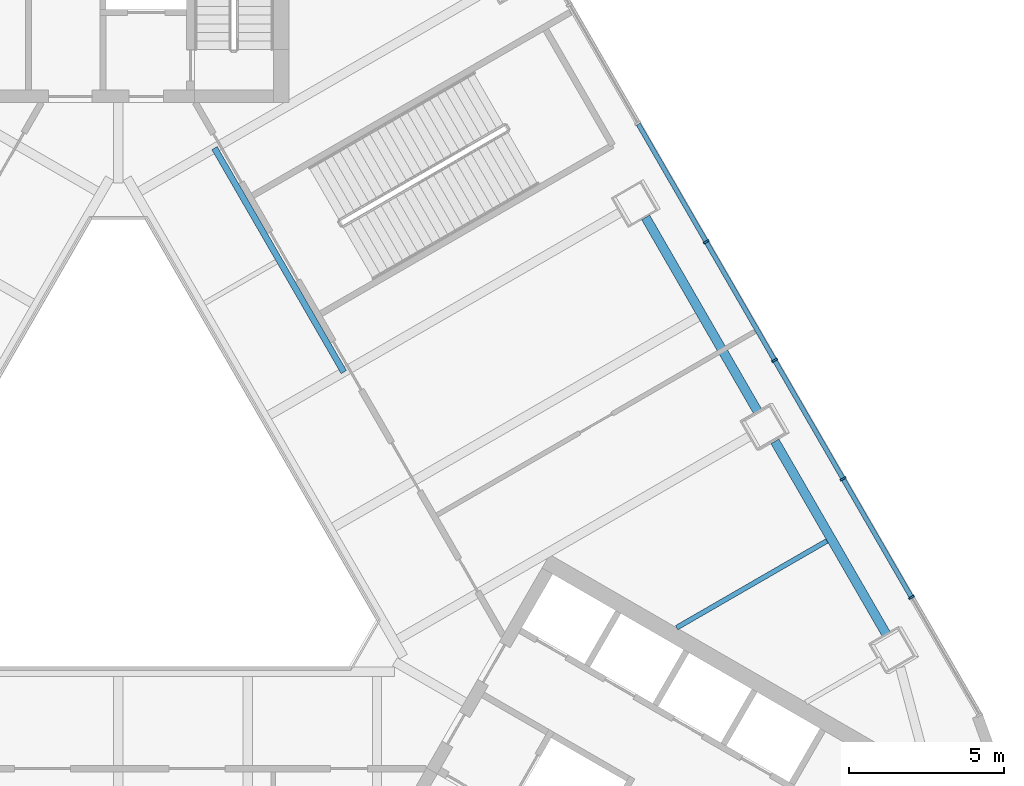
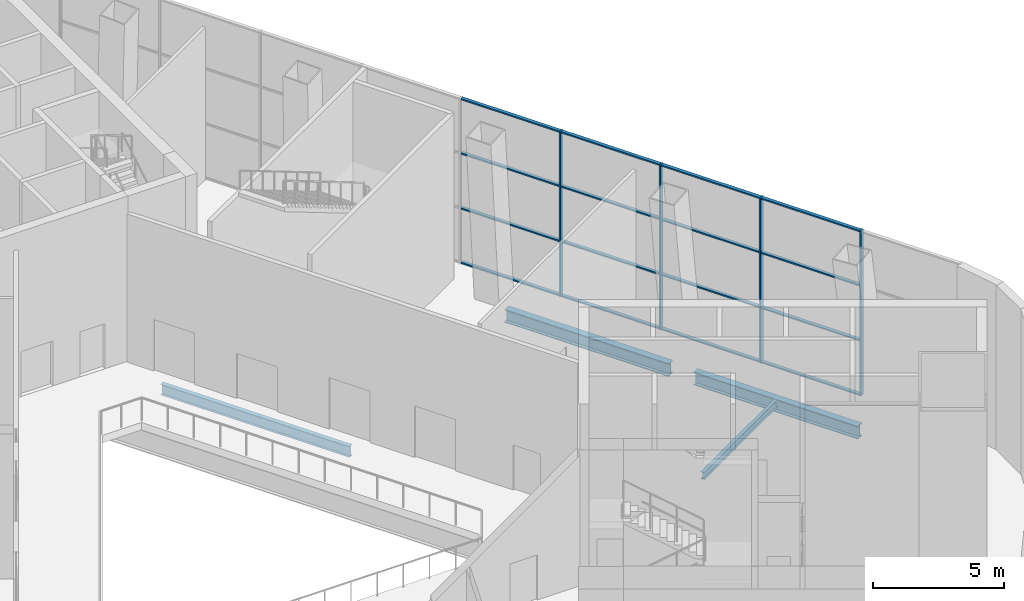
# One storey, part 5 of 16: 20 members, 4 beams, 1 element without a shape of its own.
"""IFC4 building model written with IfcOpenShell, lengths in metres."""

from ifc_helpers import new_model, si_unit, direction, frame, origin, origin_2d, place, context, subcontext, project, spatial, rectangle, i_section, extrude, material, layer, layer_set, material_profile, profile_set, type_object, element, aggregate, save


model = new_model("IFC4")

# Units and contexts
model_context = context("Model", 3, precision=1e-05, world=origin(), true_north=direction((0.0, 1.0)))
body_context = subcontext(model_context, "Body", "Model", "MODEL_VIEW")
ifc_project = project(units=[si_unit("LENGTHUNIT", "METRE"), si_unit("AREAUNIT", "SQUARE_METRE"), si_unit("VOLUMEUNIT", "CUBIC_METRE"), si_unit("PLANEANGLEUNIT", "RADIAN"), si_unit("MASSUNIT", "GRAM", prefix="KILO")], contexts=[model_context])

# Site, building, storey
site_placement = place(None, origin())
site = spatial("IfcSite", under=ifc_project, at=site_placement, CompositionType="ELEMENT")
building_placement = place(site_placement, origin())
building = spatial("IfcBuilding", under=site, at=building_placement, Name="Apuvela Tower Hotel", CompositionType="ELEMENT")
storey_placement = place(building_placement, frame((0.0, 0.0, 15.5)))
storey = spatial("IfcBuildingStorey", under=building, at=storey_placement, Name="L02", CompositionType="ELEMENT", Elevation=15.5)

# Curtain wall, members
ifc_material_1 = material(Name="Aluminium 6063-T6, dark bronze anodised", Category="aluminium")
ifc_layer = layer(ifc_material_1, 0.199951171875)
ifc_layer_set = layer_set([ifc_layer], Name="ENV-CW-P")
curtain_wall_type = type_object("IfcCurtainWallType", Name="ENV-CW-P", PredefinedType="NOTDEFINED", material=ifc_layer_set)
curtain_wall_placement = place(storey_placement, origin())
curtain_wall = element("IfcCurtainWall", 1, at=curtain_wall_placement, inside=storey, type_object=curtain_wall_type, Name="Curtain wall CW-P NE L02", PredefinedType="NOTDEFINED")
ifc_material_profile_1 = material_profile(ifc_material_1, rectangle(XDim=0.199951171875, YDim=0.06494140625, at=origin_2d()), Name="AL 65x200")
ifc_profile_set_1 = profile_set([ifc_material_profile_1], Name="Aluminium 6063-T6, dark bronze anodised")
member_type_1 = type_object("IfcMemberType", Name="ENV-MULLION-65x200", PredefinedType="MULLION", material=ifc_profile_set_1)
member_1_placement = place(storey_placement, frame((25.59521484375, -3.0693359375, 0.0), z_axis=(0.0, 0.0, 1.0), x_axis=(-0.866024643727, -0.500001316455, 0.0)))
member_1 = element("IfcMember", 2, at=member_1_placement, type_object=member_type_1, Name="CW-P mullion 2", PredefinedType="MULLION", context=body_context, shape_type="SweptSolid", body=[
    extrude(rectangle(XDim=0.199951171875, YDim=0.06494140625, at=origin_2d()), origin(), (0.0, 0.0, 1.0), 7.699951171875),
])
member_2_placement = place(storey_placement, frame((23.38720703125, 0.7548828125, 0.0), z_axis=(0.0, 0.0, 1.0), x_axis=(-0.866024643727, -0.500001316455, 0.0)))
member_2 = element("IfcMember", 3, at=member_2_placement, type_object=member_type_1, Name="CW-P mullion 3", PredefinedType="MULLION", context=body_context, shape_type="SweptSolid", body=[
    extrude(rectangle(XDim=0.199951171875, YDim=0.06494140625, at=origin_2d()), origin(), (0.0, 0.0, 1.0), 7.699951171875),
])
member_3_placement = place(storey_placement, frame((21.17919921875, 4.579345703125, 0.0), z_axis=(0.0, 0.0, 1.0), x_axis=(-0.866024643727, -0.500001316455, 0.0)))
member_3 = element("IfcMember", 4, at=member_3_placement, type_object=member_type_1, Name="CW-P mullion 4", PredefinedType="MULLION", context=body_context, shape_type="SweptSolid", body=[
    extrude(rectangle(XDim=0.199951171875, YDim=0.06494140625, at=origin_2d()), origin(), (0.0, 0.0, 1.0), 7.699951171875),
])
member_4_placement = place(storey_placement, frame((18.97119140625, 8.403564453125, 0.0), z_axis=(0.0, 0.0, 1.0), x_axis=(-0.866024643727, -0.500001316455, 0.0)))
member_4 = element("IfcMember", 5, at=member_4_placement, type_object=member_type_1, Name="CW-P mullion 5", PredefinedType="MULLION", context=body_context, shape_type="SweptSolid", body=[
    extrude(rectangle(XDim=0.199951171875, YDim=0.06494140625, at=origin_2d()), origin(), (0.0, 0.0, 1.0), 7.699951171875),
])
ifc_material_profile_2 = material_profile(ifc_material_1, rectangle(XDim=0.14990234375, YDim=0.06494140625, at=origin_2d()), Name="AL 65x150 transom")
ifc_profile_set_2 = profile_set([ifc_material_profile_2], Name="Aluminium 6063-T6, dark bronze anodised")
member_type_2 = type_object("IfcMemberType", Name="ENV-TRANSOM-65x150", PredefinedType="USERDEFINED", material=ifc_profile_set_2)
member_5_placement = place(storey_placement, frame((25.578857421875, -3.041259765625, 0.032470703125), z_axis=(-0.500007404367, 0.866021128829, 0.0), x_axis=(-0.866021128829, -0.500007404367, 0.0)))
member_5 = element("IfcMember", 6, at=member_5_placement, type_object=member_type_2, Name="CW-P transom 2.1", ObjectType="TRANSOM", PredefinedType="USERDEFINED", context=body_context, shape_type="SweptSolid", body=[
    extrude(rectangle(XDim=0.14990234375, YDim=0.06494140625, at=origin_2d()), origin(), (0.0, 0.0, 1.0), 4.35107421875),
])
member_6_placement = place(storey_placement, frame((25.578857421875, -3.041259765625, 2.566650390625), z_axis=(-0.500007404367, 0.866021128829, 0.0), x_axis=(-0.866021128829, -0.500007404367, 0.0)))
member_6 = element("IfcMember", 7, at=member_6_placement, type_object=member_type_2, Name="CW-P transom 2.2", ObjectType="TRANSOM", PredefinedType="USERDEFINED", context=body_context, shape_type="SweptSolid", body=[
    extrude(rectangle(XDim=0.14990234375, YDim=0.06494140625, at=origin_2d()), origin(), (0.0, 0.0, 1.0), 4.35107421875),
])
member_7_placement = place(storey_placement, frame((25.578857421875, -3.041259765625, 5.13330078125), z_axis=(-0.500007404367, 0.866021128829, 0.0), x_axis=(-0.866021128829, -0.500007404367, 0.0)))
member_7 = element("IfcMember", 8, at=member_7_placement, type_object=member_type_2, Name="CW-P transom 2.3", ObjectType="TRANSOM", PredefinedType="USERDEFINED", context=body_context, shape_type="SweptSolid", body=[
    extrude(rectangle(XDim=0.14990234375, YDim=0.06494140625, at=origin_2d()), origin(), (0.0, 0.0, 1.0), 4.35107421875),
])
member_8_placement = place(storey_placement, frame((25.578857421875, -3.041259765625, 7.66748046875), z_axis=(-0.500007404367, 0.866021128829, 0.0), x_axis=(-0.866021128829, -0.500007404367, 0.0)))
member_8 = element("IfcMember", 9, at=member_8_placement, type_object=member_type_2, Name="CW-P transom 2.4", ObjectType="TRANSOM", PredefinedType="USERDEFINED", context=body_context, shape_type="SweptSolid", body=[
    extrude(rectangle(XDim=0.14990234375, YDim=0.06494140625, at=origin_2d()), origin(), (0.0, 0.0, 1.0), 4.35107421875),
])
member_9_placement = place(storey_placement, frame((23.370849609375, 0.783203125, 0.032470703125), z_axis=(-0.499989616998, 0.866031398331, 0.0), x_axis=(-0.866031398331, -0.499989616998, 0.0)))
member_9 = element("IfcMember", 10, at=member_9_placement, type_object=member_type_2, Name="CW-P transom 3.1", ObjectType="TRANSOM", PredefinedType="USERDEFINED", context=body_context, shape_type="SweptSolid", body=[
    extrude(rectangle(XDim=0.14990234375, YDim=0.06494140625, at=origin_2d()), origin(), (0.0, 0.0, 1.0), 4.3505859375),
])
member_10_placement = place(storey_placement, frame((23.370849609375, 0.783203125, 2.566650390625), z_axis=(-0.499989616998, 0.866031398331, 0.0), x_axis=(-0.866031398331, -0.499989616998, 0.0)))
member_10 = element("IfcMember", 11, at=member_10_placement, type_object=member_type_2, Name="CW-P transom 3.2", ObjectType="TRANSOM", PredefinedType="USERDEFINED", context=body_context, shape_type="SweptSolid", body=[
    extrude(rectangle(XDim=0.14990234375, YDim=0.06494140625, at=origin_2d()), origin(), (0.0, 0.0, 1.0), 4.3505859375),
])
member_11_placement = place(storey_placement, frame((23.370849609375, 0.783203125, 5.13330078125), z_axis=(-0.499989616998, 0.866031398331, 0.0), x_axis=(-0.866031398331, -0.499989616998, 0.0)))
member_11 = element("IfcMember", 12, at=member_11_placement, type_object=member_type_2, Name="CW-P transom 3.3", ObjectType="TRANSOM", PredefinedType="USERDEFINED", context=body_context, shape_type="SweptSolid", body=[
    extrude(rectangle(XDim=0.14990234375, YDim=0.06494140625, at=origin_2d()), origin(), (0.0, 0.0, 1.0), 4.3505859375),
])
member_12_placement = place(storey_placement, frame((23.370849609375, 0.783203125, 7.66748046875), z_axis=(-0.499989616998, 0.866031398331, 0.0), x_axis=(-0.866031398331, -0.499989616998, 0.0)))
member_12 = element("IfcMember", 13, at=member_12_placement, type_object=member_type_2, Name="CW-P transom 3.4", ObjectType="TRANSOM", PredefinedType="USERDEFINED", context=body_context, shape_type="SweptSolid", body=[
    extrude(rectangle(XDim=0.14990234375, YDim=0.06494140625, at=origin_2d()), origin(), (0.0, 0.0, 1.0), 4.3505859375),
])
member_13_placement = place(storey_placement, frame((21.1630859375, 4.607421875, 0.032470703125), z_axis=(-0.500031702477, 0.866007099577, 0.0), x_axis=(-0.866007099577, -0.500031702477, 0.0)))
member_13 = element("IfcMember", 14, at=member_13_placement, type_object=member_type_2, Name="CW-P transom 4.1", ObjectType="TRANSOM", PredefinedType="USERDEFINED", context=body_context, shape_type="SweptSolid", body=[
    extrude(rectangle(XDim=0.14990234375, YDim=0.06494140625, at=origin_2d()), origin(), (0.0, 0.0, 1.0), 4.350830078125),
])
member_14_placement = place(storey_placement, frame((21.1630859375, 4.607421875, 2.566650390625), z_axis=(-0.500031702477, 0.866007099577, 0.0), x_axis=(-0.866007099577, -0.500031702477, 0.0)))
member_14 = element("IfcMember", 15, at=member_14_placement, type_object=member_type_2, Name="CW-P transom 4.2", ObjectType="TRANSOM", PredefinedType="USERDEFINED", context=body_context, shape_type="SweptSolid", body=[
    extrude(rectangle(XDim=0.14990234375, YDim=0.06494140625, at=origin_2d()), origin(), (0.0, 0.0, 1.0), 4.350830078125),
])
member_15_placement = place(storey_placement, frame((21.1630859375, 4.607421875, 5.13330078125), z_axis=(-0.500031702477, 0.866007099577, 0.0), x_axis=(-0.866007099577, -0.500031702477, 0.0)))
member_15 = element("IfcMember", 16, at=member_15_placement, type_object=member_type_2, Name="CW-P transom 4.3", ObjectType="TRANSOM", PredefinedType="USERDEFINED", context=body_context, shape_type="SweptSolid", body=[
    extrude(rectangle(XDim=0.14990234375, YDim=0.06494140625, at=origin_2d()), origin(), (0.0, 0.0, 1.0), 4.350830078125),
])
member_16_placement = place(storey_placement, frame((21.1630859375, 4.607421875, 7.66748046875), z_axis=(-0.500031702477, 0.866007099577, 0.0), x_axis=(-0.866007099577, -0.500031702477, 0.0)))
member_16 = element("IfcMember", 17, at=member_16_placement, type_object=member_type_2, Name="CW-P transom 4.4", ObjectType="TRANSOM", PredefinedType="USERDEFINED", context=body_context, shape_type="SweptSolid", body=[
    extrude(rectangle(XDim=0.14990234375, YDim=0.06494140625, at=origin_2d()), origin(), (0.0, 0.0, 1.0), 4.350830078125),
])
member_17_placement = place(storey_placement, frame((18.955078125, 8.431640625, 0.032470703125), z_axis=(-0.500007404367, 0.866021128829, 0.0), x_axis=(-0.866021128829, -0.500007404367, 0.0)))
member_17 = element("IfcMember", 18, at=member_17_placement, type_object=member_type_2, Name="CW-P transom 5.1", ObjectType="TRANSOM", PredefinedType="USERDEFINED", context=body_context, shape_type="SweptSolid", body=[
    extrude(rectangle(XDim=0.14990234375, YDim=0.06494140625, at=origin_2d()), origin(), (0.0, 0.0, 1.0), 4.35107421875),
])
member_18_placement = place(storey_placement, frame((18.955078125, 8.431640625, 2.566650390625), z_axis=(-0.500007404367, 0.866021128829, 0.0), x_axis=(-0.866021128829, -0.500007404367, 0.0)))
member_18 = element("IfcMember", 19, at=member_18_placement, type_object=member_type_2, Name="CW-P transom 5.2", ObjectType="TRANSOM", PredefinedType="USERDEFINED", context=body_context, shape_type="SweptSolid", body=[
    extrude(rectangle(XDim=0.14990234375, YDim=0.06494140625, at=origin_2d()), origin(), (0.0, 0.0, 1.0), 4.35107421875),
])
member_19_placement = place(storey_placement, frame((18.955078125, 8.431640625, 5.13330078125), z_axis=(-0.500007404367, 0.866021128829, 0.0), x_axis=(-0.866021128829, -0.500007404367, 0.0)))
member_19 = element("IfcMember", 20, at=member_19_placement, type_object=member_type_2, Name="CW-P transom 5.3", ObjectType="TRANSOM", PredefinedType="USERDEFINED", context=body_context, shape_type="SweptSolid", body=[
    extrude(rectangle(XDim=0.14990234375, YDim=0.06494140625, at=origin_2d()), origin(), (0.0, 0.0, 1.0), 4.35107421875),
])
member_20_placement = place(storey_placement, frame((18.955078125, 8.431640625, 7.66748046875), z_axis=(-0.500007404367, 0.866021128829, 0.0), x_axis=(-0.866021128829, -0.500007404367, 0.0)))
member_20 = element("IfcMember", 21, at=member_20_placement, type_object=member_type_2, Name="CW-P transom 5.4", ObjectType="TRANSOM", PredefinedType="USERDEFINED", context=body_context, shape_type="SweptSolid", body=[
    extrude(rectangle(XDim=0.14990234375, YDim=0.06494140625, at=origin_2d()), origin(), (0.0, 0.0, 1.0), 4.35107421875),
])
aggregate(curtain_wall, [member_1, member_2, member_3, member_4, member_5, member_6, member_7, member_8, member_9, member_10, member_11, member_12, member_13, member_14, member_15, member_16, member_17, member_18, member_19, member_20])

# Beams
ifc_material_2 = material(Name="Steel S355", Category="steel")
ifc_material_profile_3 = material_profile(ifc_material_2, i_section(OverallWidth=0.159912109375, OverallDepth=0.330078125, WebThickness=0.007568359375, FlangeThickness=0.011474609375, at=origin_2d()), Name="IPE 330")
ifc_profile_set_3 = profile_set([ifc_material_profile_3], Name="Steel S355")
beam_type_1 = type_object("IfcBeamType", Name="STR-B floor beam IPE 330", PredefinedType="BEAM", material=ifc_profile_set_3)
beam_1_placement = place(storey_placement, frame((22.868896484375, -1.24755859375, -0.514892578125), z_axis=(-0.866023103686, -0.500003983866, 0.0), x_axis=(0.500003983866, -0.866023103686, 0.0)))
element("IfcBeam", 22, at=beam_1_placement, inside=storey, type_object=beam_type_1, Name="Floor beam B1 NE2", PredefinedType="BEAM", context=body_context, shape_type="SweptSolid", body=[
    extrude(i_section(OverallWidth=0.159912109375, OverallDepth=0.330078125, WebThickness=0.007568359375, FlangeThickness=0.011474609375, at=origin_2d()), origin(), (0.0, 0.0, 1.0), 5.60498046875),
])
ifc_material_profile_4 = material_profile(ifc_material_2, i_section(OverallWidth=0.300048828125, OverallDepth=0.60009765625, WebThickness=0.015380859375, FlangeThickness=0.030029296875, at=origin_2d()), Name="HE 600 B")
ifc_profile_set_4 = profile_set([ifc_material_profile_4], Name="Steel S355")
beam_type_2 = type_object("IfcBeamType", Name="STR-SB spandrel beam HE 600 B", PredefinedType="SPANDREL", material=ifc_profile_set_4)
beam_2_placement = place(storey_placement, frame((24.809814453125, -4.308837890625, -0.64990234375), z_axis=(-0.500028806583, 0.866008771657, 0.0), x_axis=(-0.866008771657, -0.500028806583, 0.0)))
element("IfcBeam", 23, at=beam_2_placement, inside=storey, type_object=beam_type_2, Name="Spandrel beam SB1 NE1", PredefinedType="SPANDREL", context=body_context, shape_type="SweptSolid", body=[
    extrude(i_section(OverallWidth=0.300048828125, OverallDepth=0.60009765625, WebThickness=0.015380859375, FlangeThickness=0.030029296875, at=origin_2d()), origin(), (0.0, 0.0, 1.0), 7.2431640625),
])
beam_3_placement = place(storey_placement, frame((20.63818359375, 2.91650390625, -0.64990234375), z_axis=(-0.499988932305, 0.866031793627, 0.0), x_axis=(-0.866031793627, -0.499988932305, 0.0)))
element("IfcBeam", 24, at=beam_3_placement, inside=storey, type_object=beam_type_2, Name="Spandrel beam SB1 NE2", PredefinedType="SPANDREL", context=body_context, shape_type="SweptSolid", body=[
    extrude(i_section(OverallWidth=0.300048828125, OverallDepth=0.60009765625, WebThickness=0.015380859375, FlangeThickness=0.030029296875, at=origin_2d()), origin(), (0.0, 0.0, 1.0), 7.243408203125),
])
ifc_material_profile_5 = material_profile(ifc_material_2, i_section(OverallWidth=0.199951171875, OverallDepth=0.5, WebThickness=0.01025390625, FlangeThickness=0.01611328125, at=origin_2d()), Name="IPE 500")
ifc_profile_set_5 = profile_set([ifc_material_profile_5], Name="Steel S355")
beam_type_3 = type_object("IfcBeamType", Name="STR-TB stair trimmer beam IPE 500", PredefinedType="BEAM", material=ifc_profile_set_5)
beam_4_placement = place(storey_placement, frame((7.274658203125, 4.199951171875, -0.60009765625), z_axis=(-0.499994325412, 0.866028679985, 0.0), x_axis=(-0.866028679985, -0.499994325412, 0.0)))
element("IfcBeam", 25, at=beam_4_placement, inside=storey, type_object=beam_type_3, Name="Stair trimmer beam TB2 PS1", PredefinedType="BEAM", context=body_context, shape_type="SweptSolid", body=[
    extrude(i_section(OverallWidth=0.199951171875, OverallDepth=0.5, WebThickness=0.01025390625, FlangeThickness=0.01611328125, at=origin_2d()), origin(), (0.0, 0.0, 1.0), 8.34326171875),
])

save(model, "model.ifc")
